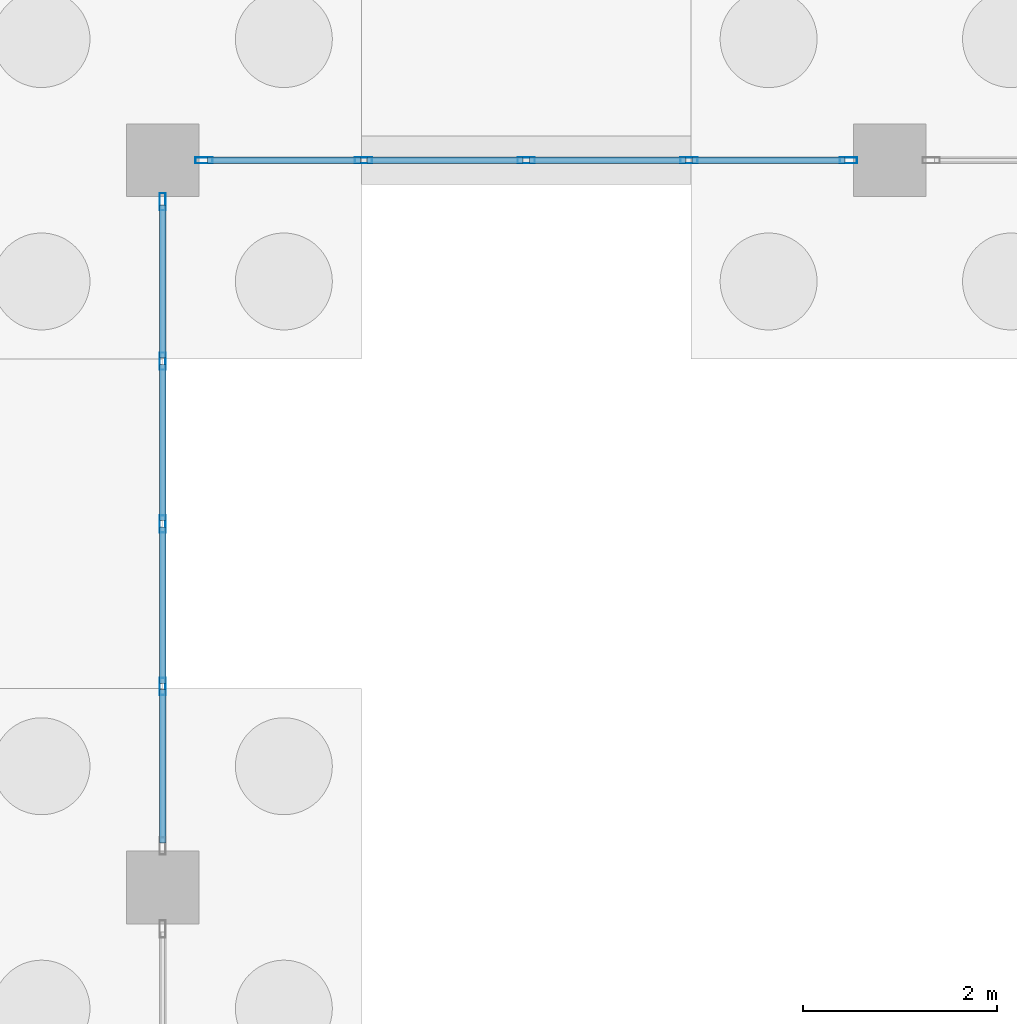
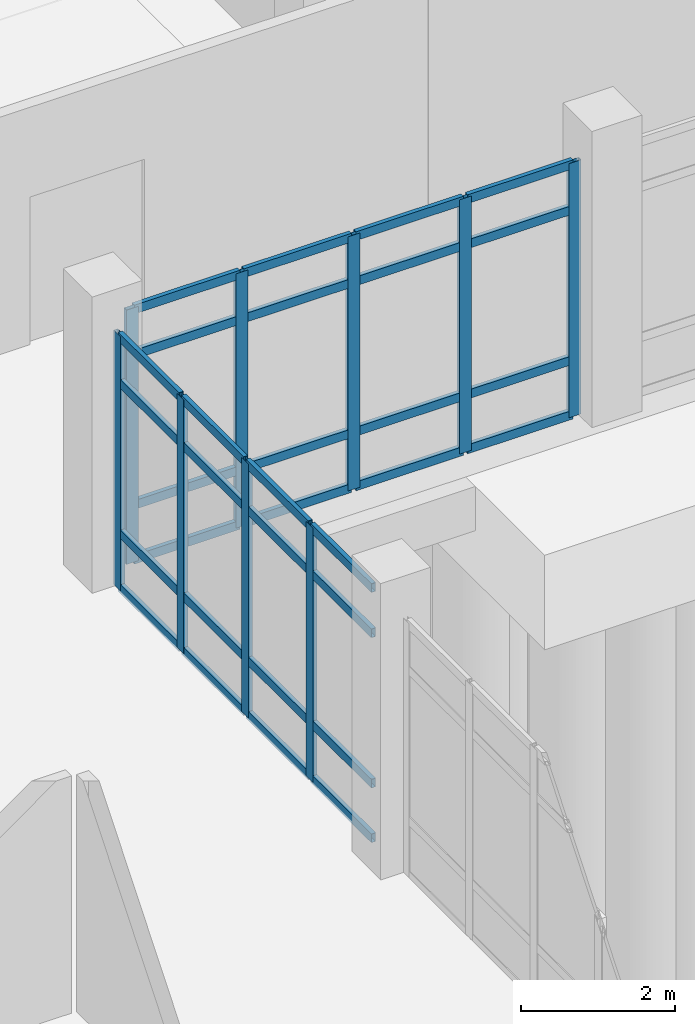
# One storey, part 31 of 173: 41 members, 2 elements without a shape of their own.
"""IFC4 building model written with IfcOpenShell, lengths in metres."""

from ifc_helpers import new_model, si_unit, direction, frame, origin, origin_2d, place, context, subcontext, project, spatial, hollow_rectangle, extrude, material, layer, layer_set, material_profile, profile_set, type_object, element, aggregate, save


model = new_model("IFC4")

# Units and contexts
model_context = context("Model", 3, precision=1e-05, world=origin(), true_north=direction((0.0, 1.0)))
body_context = subcontext(model_context, "Body", "Model", "MODEL_VIEW")
ifc_project = project(units=[si_unit("LENGTHUNIT", "METRE"), si_unit("AREAUNIT", "SQUARE_METRE"), si_unit("VOLUMEUNIT", "CUBIC_METRE"), si_unit("PLANEANGLEUNIT", "RADIAN"), si_unit("MASSUNIT", "GRAM", prefix="KILO")], contexts=[model_context])

# Site, building, storey
site_placement = place(None, origin())
site = spatial("IfcSite", under=ifc_project, at=site_placement, CompositionType="ELEMENT")
building_placement = place(site_placement, origin())
building = spatial("IfcBuilding", under=site, at=building_placement, Name="Mawjan Specialist Oncology Clinic", CompositionType="ELEMENT")
storey_placement = place(building_placement, origin())
storey = spatial("IfcBuildingStorey", under=building, at=storey_placement, Name="L00", CompositionType="ELEMENT", Elevation=0.0)

# Curtain wall, members
ifc_material_1 = material(Name="Unitised spectrally selective aluminium curtain wall", Category="aluminium")
ifc_layer = layer(ifc_material_1, 0.179931640625, Name="Unitised spectrally selective aluminium curtain wall", Category="aluminium")
ifc_layer_set = layer_set([ifc_layer], Name="Unitised spectrally selective aluminium curtain wall")
curtain_wall_type = type_object("IfcCurtainWallType", Name="CW-02", PredefinedType="NOTDEFINED", material=ifc_layer_set)
curtain_wall_1_placement = place(storey_placement, origin())
curtain_wall_1 = element("IfcCurtainWall", 1, at=curtain_wall_1_placement, inside=storey, type_object=curtain_wall_type, Name="L00 Unitised Curtain Wall CW-L00-053", PredefinedType="NOTDEFINED")
ifc_material_2 = material(Name="Thermally broken aluminium 6063-T6", Category="aluminium")
ifc_material_profile_1 = material_profile(ifc_material_2, hollow_rectangle(XDim=0.06494140625, YDim=0.179931640625, WallThickness=0.00390625, at=origin_2d()), Name="ALU MULLION 180x65x4", Category="aluminium")
ifc_profile_set_1 = profile_set([ifc_material_profile_1], Name="Thermally broken aluminium 6063-T6")
member_type_1 = type_object("IfcMemberType", Name="CW-M180", PredefinedType="MULLION", material=ifc_profile_set_1)
member_1_placement = place(storey_placement, frame((22.072509765625, 30.800048828125, 0.0), z_axis=(0.0, 0.0, 1.0), x_axis=(0.0, -1.0, 0.0)))
member_1 = element("IfcMember", 2, at=member_1_placement, type_object=member_type_1, Name="CW-02 mullion 1", PredefinedType="MULLION", context=body_context, shape_type="SweptSolid", body=[
    extrude(hollow_rectangle(XDim=0.06494140625, YDim=0.179931640625, WallThickness=0.00390625, at=origin_2d()), origin(), (0.0, 0.0, 1.0), 4.034912109375),
])
member_2_placement = place(storey_placement, frame((20.427490234375, 30.800048828125, 0.0), z_axis=(0.0, 0.0, 1.0), x_axis=(0.0, -1.0, 0.0)))
member_2 = element("IfcMember", 3, at=member_2_placement, type_object=member_type_1, Name="CW-02 mullion 2", PredefinedType="MULLION", context=body_context, shape_type="SweptSolid", body=[
    extrude(hollow_rectangle(XDim=0.06494140625, YDim=0.179931640625, WallThickness=0.00390625, at=origin_2d()), origin(), (0.0, 0.0, 1.0), 4.034912109375),
])
member_3_placement = place(storey_placement, frame((18.75, 30.800048828125, 0.0), z_axis=(0.0, 0.0, 1.0), x_axis=(0.0, -1.0, 0.0)))
member_3 = element("IfcMember", 4, at=member_3_placement, type_object=member_type_1, Name="CW-02 mullion 3", PredefinedType="MULLION", context=body_context, shape_type="SweptSolid", body=[
    extrude(hollow_rectangle(XDim=0.06494140625, YDim=0.179931640625, WallThickness=0.00390625, at=origin_2d()), origin(), (0.0, 0.0, 1.0), 4.034912109375),
])
member_4_placement = place(storey_placement, frame((17.072509765625, 30.800048828125, 0.0), z_axis=(0.0, 0.0, 1.0), x_axis=(0.0, -1.0, 0.0)))
member_4 = element("IfcMember", 5, at=member_4_placement, type_object=member_type_1, Name="CW-02 mullion 4", PredefinedType="MULLION", context=body_context, shape_type="SweptSolid", body=[
    extrude(hollow_rectangle(XDim=0.06494140625, YDim=0.179931640625, WallThickness=0.00390625, at=origin_2d()), origin(), (0.0, 0.0, 1.0), 4.034912109375),
])
member_5_placement = place(storey_placement, frame((15.427490234375, 30.800048828125, 0.0), z_axis=(0.0, 0.0, 1.0), x_axis=(0.0, -1.0, 0.0)))
member_5 = element("IfcMember", 6, at=member_5_placement, type_object=member_type_1, Name="CW-02 mullion 5", PredefinedType="MULLION", context=body_context, shape_type="SweptSolid", body=[
    extrude(hollow_rectangle(XDim=0.06494140625, YDim=0.179931640625, WallThickness=0.00390625, at=origin_2d()), origin(), (0.0, 0.0, 1.0), 4.034912109375),
])

curtain_wall_2_placement = place(storey_placement, origin())
curtain_wall_2 = element("IfcCurtainWall", 7, at=curtain_wall_2_placement, inside=storey, type_object=curtain_wall_type, Name="L00 Unitised Curtain Wall CW-L00-054", PredefinedType="NOTDEFINED")
member_6_placement = place(storey_placement, frame((15.0, 30.37255859375, 0.0), z_axis=(0.0, 0.0, 1.0), x_axis=(1.0, 0.0, 0.0)))
member_6 = element("IfcMember", 8, at=member_6_placement, type_object=member_type_1, Name="CW-02 mullion 1", PredefinedType="MULLION", context=body_context, shape_type="SweptSolid", body=[
    extrude(hollow_rectangle(XDim=0.06494140625, YDim=0.179931640625, WallThickness=0.00390625, at=origin_2d()), origin(), (0.0, 0.0, 1.0), 4.034912109375),
])
member_7_placement = place(storey_placement, frame((15.0, 28.7275390625, 0.0), z_axis=(0.0, 0.0, 1.0), x_axis=(1.0, 0.0, 0.0)))
member_7 = element("IfcMember", 9, at=member_7_placement, type_object=member_type_1, Name="CW-02 mullion 2", PredefinedType="MULLION", context=body_context, shape_type="SweptSolid", body=[
    extrude(hollow_rectangle(XDim=0.06494140625, YDim=0.179931640625, WallThickness=0.00390625, at=origin_2d()), origin(), (0.0, 0.0, 1.0), 4.034912109375),
])
member_8_placement = place(storey_placement, frame((15.0, 27.050048828125, 0.0), z_axis=(0.0, 0.0, 1.0), x_axis=(1.0, 0.0, 0.0)))
member_8 = element("IfcMember", 10, at=member_8_placement, type_object=member_type_1, Name="CW-02 mullion 3", PredefinedType="MULLION", context=body_context, shape_type="SweptSolid", body=[
    extrude(hollow_rectangle(XDim=0.06494140625, YDim=0.179931640625, WallThickness=0.00390625, at=origin_2d()), origin(), (0.0, 0.0, 1.0), 4.034912109375),
])
member_9_placement = place(storey_placement, frame((15.0, 25.37255859375, 0.0), z_axis=(0.0, 0.0, 1.0), x_axis=(1.0, 0.0, 0.0)))
member_9 = element("IfcMember", 11, at=member_9_placement, type_object=member_type_1, Name="CW-02 mullion 4", PredefinedType="MULLION", context=body_context, shape_type="SweptSolid", body=[
    extrude(hollow_rectangle(XDim=0.06494140625, YDim=0.179931640625, WallThickness=0.00390625, at=origin_2d()), origin(), (0.0, 0.0, 1.0), 4.034912109375),
])

# Member
ifc_material_3 = material(Name="Thermally broken aluminium 6063-T6", Category="aluminium")
ifc_material_profile_2 = material_profile(ifc_material_3, hollow_rectangle(XDim=0.06494140625, YDim=0.139892578125, WallThickness=0.00390625, at=origin_2d()), Name="ALU TRANSOM 140x65x4", Category="aluminium")
ifc_profile_set_2 = profile_set([ifc_material_profile_2], Name="Thermally broken aluminium 6063-T6")
member_type_2 = type_object("IfcMemberType", Name="CW-T140", PredefinedType="USERDEFINED", material=ifc_profile_set_2)
member_10_placement = place(storey_placement, frame((22.0400390625, 30.800048828125, 0.032470703125), z_axis=(-1.0, 0.0, 0.0), x_axis=(0.0, -1.0, 0.0)))
member_10 = element("IfcMember", 12, at=member_10_placement, type_object=member_type_2, Name="CW-02 transom 1.1", ObjectType="TRANSOM", PredefinedType="USERDEFINED", context=body_context, shape_type="SweptSolid", body=[
    extrude(hollow_rectangle(XDim=0.06494140625, YDim=0.139892578125, WallThickness=0.00390625, at=origin_2d()), origin(), (0.0, 0.0, 1.0), 1.580078125),
])

member_11_placement = place(storey_placement, frame((22.0400390625, 30.800048828125, 0.89990234375), z_axis=(-1.0, 0.0, 0.0), x_axis=(0.0, -1.0, 0.0)))
member_11 = element("IfcMember", 13, at=member_11_placement, type_object=member_type_2, Name="CW-02 transom 1.2", ObjectType="TRANSOM", PredefinedType="USERDEFINED", context=body_context, shape_type="SweptSolid", body=[
    extrude(hollow_rectangle(XDim=0.06494140625, YDim=0.139892578125, WallThickness=0.00390625, at=origin_2d()), origin(), (0.0, 0.0, 1.0), 1.580078125),
])

member_12_placement = place(storey_placement, frame((22.0400390625, 30.800048828125, 3.284912109375), z_axis=(-1.0, 0.0, 0.0), x_axis=(0.0, -1.0, 0.0)))
member_12 = element("IfcMember", 14, at=member_12_placement, type_object=member_type_2, Name="CW-02 transom 1.3", ObjectType="TRANSOM", PredefinedType="USERDEFINED", context=body_context, shape_type="SweptSolid", body=[
    extrude(hollow_rectangle(XDim=0.06494140625, YDim=0.139892578125, WallThickness=0.00390625, at=origin_2d()), origin(), (0.0, 0.0, 1.0), 1.580078125),
])

member_13_placement = place(storey_placement, frame((22.0400390625, 30.800048828125, 4.00244140625), z_axis=(-1.0, 0.0, 0.0), x_axis=(0.0, -1.0, 0.0)))
member_13 = element("IfcMember", 15, at=member_13_placement, type_object=member_type_2, Name="CW-02 transom 1.4", ObjectType="TRANSOM", PredefinedType="USERDEFINED", context=body_context, shape_type="SweptSolid", body=[
    extrude(hollow_rectangle(XDim=0.06494140625, YDim=0.139892578125, WallThickness=0.00390625, at=origin_2d()), origin(), (0.0, 0.0, 1.0), 1.580078125),
])

member_14_placement = place(storey_placement, frame((20.39501953125, 30.800048828125, 0.032470703125), z_axis=(-1.0, 0.0, 0.0), x_axis=(0.0, -1.0, 0.0)))
member_14 = element("IfcMember", 16, at=member_14_placement, type_object=member_type_2, Name="CW-02 transom 2.1", ObjectType="TRANSOM", PredefinedType="USERDEFINED", context=body_context, shape_type="SweptSolid", body=[
    extrude(hollow_rectangle(XDim=0.06494140625, YDim=0.139892578125, WallThickness=0.00390625, at=origin_2d()), origin(), (0.0, 0.0, 1.0), 1.612548828125),
])

member_15_placement = place(storey_placement, frame((20.39501953125, 30.800048828125, 0.89990234375), z_axis=(-1.0, 0.0, 0.0), x_axis=(0.0, -1.0, 0.0)))
member_15 = element("IfcMember", 17, at=member_15_placement, type_object=member_type_2, Name="CW-02 transom 2.2", ObjectType="TRANSOM", PredefinedType="USERDEFINED", context=body_context, shape_type="SweptSolid", body=[
    extrude(hollow_rectangle(XDim=0.06494140625, YDim=0.139892578125, WallThickness=0.00390625, at=origin_2d()), origin(), (0.0, 0.0, 1.0), 1.612548828125),
])

member_16_placement = place(storey_placement, frame((20.39501953125, 30.800048828125, 3.284912109375), z_axis=(-1.0, 0.0, 0.0), x_axis=(0.0, -1.0, 0.0)))
member_16 = element("IfcMember", 18, at=member_16_placement, type_object=member_type_2, Name="CW-02 transom 2.3", ObjectType="TRANSOM", PredefinedType="USERDEFINED", context=body_context, shape_type="SweptSolid", body=[
    extrude(hollow_rectangle(XDim=0.06494140625, YDim=0.139892578125, WallThickness=0.00390625, at=origin_2d()), origin(), (0.0, 0.0, 1.0), 1.612548828125),
])

member_17_placement = place(storey_placement, frame((20.39501953125, 30.800048828125, 4.00244140625), z_axis=(-1.0, 0.0, 0.0), x_axis=(0.0, -1.0, 0.0)))
member_17 = element("IfcMember", 19, at=member_17_placement, type_object=member_type_2, Name="CW-02 transom 2.4", ObjectType="TRANSOM", PredefinedType="USERDEFINED", context=body_context, shape_type="SweptSolid", body=[
    extrude(hollow_rectangle(XDim=0.06494140625, YDim=0.139892578125, WallThickness=0.00390625, at=origin_2d()), origin(), (0.0, 0.0, 1.0), 1.612548828125),
])

member_18_placement = place(storey_placement, frame((18.717529296875, 30.800048828125, 0.032470703125), z_axis=(-1.0, 0.0, 0.0), x_axis=(0.0, -1.0, 0.0)))
member_18 = element("IfcMember", 20, at=member_18_placement, type_object=member_type_2, Name="CW-02 transom 3.1", ObjectType="TRANSOM", PredefinedType="USERDEFINED", context=body_context, shape_type="SweptSolid", body=[
    extrude(hollow_rectangle(XDim=0.06494140625, YDim=0.139892578125, WallThickness=0.00390625, at=origin_2d()), origin(), (0.0, 0.0, 1.0), 1.612548828125),
])

member_19_placement = place(storey_placement, frame((18.717529296875, 30.800048828125, 0.89990234375), z_axis=(-1.0, 0.0, 0.0), x_axis=(0.0, -1.0, 0.0)))
member_19 = element("IfcMember", 21, at=member_19_placement, type_object=member_type_2, Name="CW-02 transom 3.2", ObjectType="TRANSOM", PredefinedType="USERDEFINED", context=body_context, shape_type="SweptSolid", body=[
    extrude(hollow_rectangle(XDim=0.06494140625, YDim=0.139892578125, WallThickness=0.00390625, at=origin_2d()), origin(), (0.0, 0.0, 1.0), 1.612548828125),
])

member_20_placement = place(storey_placement, frame((18.717529296875, 30.800048828125, 3.284912109375), z_axis=(-1.0, 0.0, 0.0), x_axis=(0.0, -1.0, 0.0)))
member_20 = element("IfcMember", 22, at=member_20_placement, type_object=member_type_2, Name="CW-02 transom 3.3", ObjectType="TRANSOM", PredefinedType="USERDEFINED", context=body_context, shape_type="SweptSolid", body=[
    extrude(hollow_rectangle(XDim=0.06494140625, YDim=0.139892578125, WallThickness=0.00390625, at=origin_2d()), origin(), (0.0, 0.0, 1.0), 1.612548828125),
])

member_21_placement = place(storey_placement, frame((18.717529296875, 30.800048828125, 4.00244140625), z_axis=(-1.0, 0.0, 0.0), x_axis=(0.0, -1.0, 0.0)))
member_21 = element("IfcMember", 23, at=member_21_placement, type_object=member_type_2, Name="CW-02 transom 3.4", ObjectType="TRANSOM", PredefinedType="USERDEFINED", context=body_context, shape_type="SweptSolid", body=[
    extrude(hollow_rectangle(XDim=0.06494140625, YDim=0.139892578125, WallThickness=0.00390625, at=origin_2d()), origin(), (0.0, 0.0, 1.0), 1.612548828125),
])

member_22_placement = place(storey_placement, frame((17.0400390625, 30.800048828125, 0.032470703125), z_axis=(-1.0, 0.0, 0.0), x_axis=(0.0, -1.0, 0.0)))
member_22 = element("IfcMember", 24, at=member_22_placement, type_object=member_type_2, Name="CW-02 transom 4.1", ObjectType="TRANSOM", PredefinedType="USERDEFINED", context=body_context, shape_type="SweptSolid", body=[
    extrude(hollow_rectangle(XDim=0.06494140625, YDim=0.139892578125, WallThickness=0.00390625, at=origin_2d()), origin(), (0.0, 0.0, 1.0), 1.580078125),
])

member_23_placement = place(storey_placement, frame((17.0400390625, 30.800048828125, 0.89990234375), z_axis=(-1.0, 0.0, 0.0), x_axis=(0.0, -1.0, 0.0)))
member_23 = element("IfcMember", 25, at=member_23_placement, type_object=member_type_2, Name="CW-02 transom 4.2", ObjectType="TRANSOM", PredefinedType="USERDEFINED", context=body_context, shape_type="SweptSolid", body=[
    extrude(hollow_rectangle(XDim=0.06494140625, YDim=0.139892578125, WallThickness=0.00390625, at=origin_2d()), origin(), (0.0, 0.0, 1.0), 1.580078125),
])

member_24_placement = place(storey_placement, frame((17.0400390625, 30.800048828125, 3.284912109375), z_axis=(-1.0, 0.0, 0.0), x_axis=(0.0, -1.0, 0.0)))
member_24 = element("IfcMember", 26, at=member_24_placement, type_object=member_type_2, Name="CW-02 transom 4.3", ObjectType="TRANSOM", PredefinedType="USERDEFINED", context=body_context, shape_type="SweptSolid", body=[
    extrude(hollow_rectangle(XDim=0.06494140625, YDim=0.139892578125, WallThickness=0.00390625, at=origin_2d()), origin(), (0.0, 0.0, 1.0), 1.580078125),
])

member_25_placement = place(storey_placement, frame((17.0400390625, 30.800048828125, 4.00244140625), z_axis=(-1.0, 0.0, 0.0), x_axis=(0.0, -1.0, 0.0)))
member_25 = element("IfcMember", 27, at=member_25_placement, type_object=member_type_2, Name="CW-02 transom 4.4", ObjectType="TRANSOM", PredefinedType="USERDEFINED", context=body_context, shape_type="SweptSolid", body=[
    extrude(hollow_rectangle(XDim=0.06494140625, YDim=0.139892578125, WallThickness=0.00390625, at=origin_2d()), origin(), (0.0, 0.0, 1.0), 1.580078125),
])

aggregate(curtain_wall_1, [member_1, member_2, member_3, member_4, member_5, member_10, member_11, member_12, member_13, member_14, member_15, member_16, member_17, member_18, member_19, member_20, member_21, member_22, member_23, member_24, member_25])

member_26_placement = place(storey_placement, frame((15.0, 30.340087890625, 0.032470703125), z_axis=(0.0, -1.0, 0.0), x_axis=(1.0, 0.0, 0.0)))
member_26 = element("IfcMember", 28, at=member_26_placement, type_object=member_type_2, Name="CW-02 transom 1.1", ObjectType="TRANSOM", PredefinedType="USERDEFINED", context=body_context, shape_type="SweptSolid", body=[
    extrude(hollow_rectangle(XDim=0.06494140625, YDim=0.139892578125, WallThickness=0.00390625, at=origin_2d()), origin(), (0.0, 0.0, 1.0), 1.580078125),
])

member_27_placement = place(storey_placement, frame((15.0, 30.340087890625, 0.89990234375), z_axis=(0.0, -1.0, 0.0), x_axis=(1.0, 0.0, 0.0)))
member_27 = element("IfcMember", 29, at=member_27_placement, type_object=member_type_2, Name="CW-02 transom 1.2", ObjectType="TRANSOM", PredefinedType="USERDEFINED", context=body_context, shape_type="SweptSolid", body=[
    extrude(hollow_rectangle(XDim=0.06494140625, YDim=0.139892578125, WallThickness=0.00390625, at=origin_2d()), origin(), (0.0, 0.0, 1.0), 1.580078125),
])

member_28_placement = place(storey_placement, frame((15.0, 30.340087890625, 3.284912109375), z_axis=(0.0, -1.0, 0.0), x_axis=(1.0, 0.0, 0.0)))
member_28 = element("IfcMember", 30, at=member_28_placement, type_object=member_type_2, Name="CW-02 transom 1.3", ObjectType="TRANSOM", PredefinedType="USERDEFINED", context=body_context, shape_type="SweptSolid", body=[
    extrude(hollow_rectangle(XDim=0.06494140625, YDim=0.139892578125, WallThickness=0.00390625, at=origin_2d()), origin(), (0.0, 0.0, 1.0), 1.580078125),
])

member_29_placement = place(storey_placement, frame((15.0, 30.340087890625, 4.00244140625), z_axis=(0.0, -1.0, 0.0), x_axis=(1.0, 0.0, 0.0)))
member_29 = element("IfcMember", 31, at=member_29_placement, type_object=member_type_2, Name="CW-02 transom 1.4", ObjectType="TRANSOM", PredefinedType="USERDEFINED", context=body_context, shape_type="SweptSolid", body=[
    extrude(hollow_rectangle(XDim=0.06494140625, YDim=0.139892578125, WallThickness=0.00390625, at=origin_2d()), origin(), (0.0, 0.0, 1.0), 1.580078125),
])

member_30_placement = place(storey_placement, frame((15.0, 28.695068359375, 0.032470703125), z_axis=(0.0, -1.0, 0.0), x_axis=(1.0, 0.0, 0.0)))
member_30 = element("IfcMember", 32, at=member_30_placement, type_object=member_type_2, Name="CW-02 transom 2.1", ObjectType="TRANSOM", PredefinedType="USERDEFINED", context=body_context, shape_type="SweptSolid", body=[
    extrude(hollow_rectangle(XDim=0.06494140625, YDim=0.139892578125, WallThickness=0.00390625, at=origin_2d()), origin(), (0.0, 0.0, 1.0), 1.612548828125),
])

member_31_placement = place(storey_placement, frame((15.0, 28.695068359375, 0.89990234375), z_axis=(0.0, -1.0, 0.0), x_axis=(1.0, 0.0, 0.0)))
member_31 = element("IfcMember", 33, at=member_31_placement, type_object=member_type_2, Name="CW-02 transom 2.2", ObjectType="TRANSOM", PredefinedType="USERDEFINED", context=body_context, shape_type="SweptSolid", body=[
    extrude(hollow_rectangle(XDim=0.06494140625, YDim=0.139892578125, WallThickness=0.00390625, at=origin_2d()), origin(), (0.0, 0.0, 1.0), 1.612548828125),
])

member_32_placement = place(storey_placement, frame((15.0, 28.695068359375, 3.284912109375), z_axis=(0.0, -1.0, 0.0), x_axis=(1.0, 0.0, 0.0)))
member_32 = element("IfcMember", 34, at=member_32_placement, type_object=member_type_2, Name="CW-02 transom 2.3", ObjectType="TRANSOM", PredefinedType="USERDEFINED", context=body_context, shape_type="SweptSolid", body=[
    extrude(hollow_rectangle(XDim=0.06494140625, YDim=0.139892578125, WallThickness=0.00390625, at=origin_2d()), origin(), (0.0, 0.0, 1.0), 1.612548828125),
])

member_33_placement = place(storey_placement, frame((15.0, 28.695068359375, 4.00244140625), z_axis=(0.0, -1.0, 0.0), x_axis=(1.0, 0.0, 0.0)))
member_33 = element("IfcMember", 35, at=member_33_placement, type_object=member_type_2, Name="CW-02 transom 2.4", ObjectType="TRANSOM", PredefinedType="USERDEFINED", context=body_context, shape_type="SweptSolid", body=[
    extrude(hollow_rectangle(XDim=0.06494140625, YDim=0.139892578125, WallThickness=0.00390625, at=origin_2d()), origin(), (0.0, 0.0, 1.0), 1.612548828125),
])

member_34_placement = place(storey_placement, frame((15.0, 27.017578125, 0.032470703125), z_axis=(0.0, -1.0, 0.0), x_axis=(1.0, 0.0, 0.0)))
member_34 = element("IfcMember", 36, at=member_34_placement, type_object=member_type_2, Name="CW-02 transom 3.1", ObjectType="TRANSOM", PredefinedType="USERDEFINED", context=body_context, shape_type="SweptSolid", body=[
    extrude(hollow_rectangle(XDim=0.06494140625, YDim=0.139892578125, WallThickness=0.00390625, at=origin_2d()), origin(), (0.0, 0.0, 1.0), 1.612548828125),
])

member_35_placement = place(storey_placement, frame((15.0, 27.017578125, 0.89990234375), z_axis=(0.0, -1.0, 0.0), x_axis=(1.0, 0.0, 0.0)))
member_35 = element("IfcMember", 37, at=member_35_placement, type_object=member_type_2, Name="CW-02 transom 3.2", ObjectType="TRANSOM", PredefinedType="USERDEFINED", context=body_context, shape_type="SweptSolid", body=[
    extrude(hollow_rectangle(XDim=0.06494140625, YDim=0.139892578125, WallThickness=0.00390625, at=origin_2d()), origin(), (0.0, 0.0, 1.0), 1.612548828125),
])

member_36_placement = place(storey_placement, frame((15.0, 27.017578125, 3.284912109375), z_axis=(0.0, -1.0, 0.0), x_axis=(1.0, 0.0, 0.0)))
member_36 = element("IfcMember", 38, at=member_36_placement, type_object=member_type_2, Name="CW-02 transom 3.3", ObjectType="TRANSOM", PredefinedType="USERDEFINED", context=body_context, shape_type="SweptSolid", body=[
    extrude(hollow_rectangle(XDim=0.06494140625, YDim=0.139892578125, WallThickness=0.00390625, at=origin_2d()), origin(), (0.0, 0.0, 1.0), 1.612548828125),
])

member_37_placement = place(storey_placement, frame((15.0, 27.017578125, 4.00244140625), z_axis=(0.0, -1.0, 0.0), x_axis=(1.0, 0.0, 0.0)))
member_37 = element("IfcMember", 39, at=member_37_placement, type_object=member_type_2, Name="CW-02 transom 3.4", ObjectType="TRANSOM", PredefinedType="USERDEFINED", context=body_context, shape_type="SweptSolid", body=[
    extrude(hollow_rectangle(XDim=0.06494140625, YDim=0.139892578125, WallThickness=0.00390625, at=origin_2d()), origin(), (0.0, 0.0, 1.0), 1.612548828125),
])

member_38_placement = place(storey_placement, frame((15.0, 25.340087890625, 0.032470703125), z_axis=(0.0, -1.0, 0.0), x_axis=(1.0, 0.0, 0.0)))
member_38 = element("IfcMember", 40, at=member_38_placement, type_object=member_type_2, Name="CW-02 transom 4.1", ObjectType="TRANSOM", PredefinedType="USERDEFINED", context=body_context, shape_type="SweptSolid", body=[
    extrude(hollow_rectangle(XDim=0.06494140625, YDim=0.139892578125, WallThickness=0.00390625, at=origin_2d()), origin(), (0.0, 0.0, 1.0), 1.580078125),
])

member_39_placement = place(storey_placement, frame((15.0, 25.340087890625, 0.89990234375), z_axis=(0.0, -1.0, 0.0), x_axis=(1.0, 0.0, 0.0)))
member_39 = element("IfcMember", 41, at=member_39_placement, type_object=member_type_2, Name="CW-02 transom 4.2", ObjectType="TRANSOM", PredefinedType="USERDEFINED", context=body_context, shape_type="SweptSolid", body=[
    extrude(hollow_rectangle(XDim=0.06494140625, YDim=0.139892578125, WallThickness=0.00390625, at=origin_2d()), origin(), (0.0, 0.0, 1.0), 1.580078125),
])

member_40_placement = place(storey_placement, frame((15.0, 25.340087890625, 3.284912109375), z_axis=(0.0, -1.0, 0.0), x_axis=(1.0, 0.0, 0.0)))
member_40 = element("IfcMember", 42, at=member_40_placement, type_object=member_type_2, Name="CW-02 transom 4.3", ObjectType="TRANSOM", PredefinedType="USERDEFINED", context=body_context, shape_type="SweptSolid", body=[
    extrude(hollow_rectangle(XDim=0.06494140625, YDim=0.139892578125, WallThickness=0.00390625, at=origin_2d()), origin(), (0.0, 0.0, 1.0), 1.580078125),
])

member_41_placement = place(storey_placement, frame((15.0, 25.340087890625, 4.00244140625), z_axis=(0.0, -1.0, 0.0), x_axis=(1.0, 0.0, 0.0)))
member_41 = element("IfcMember", 43, at=member_41_placement, type_object=member_type_2, Name="CW-02 transom 4.4", ObjectType="TRANSOM", PredefinedType="USERDEFINED", context=body_context, shape_type="SweptSolid", body=[
    extrude(hollow_rectangle(XDim=0.06494140625, YDim=0.139892578125, WallThickness=0.00390625, at=origin_2d()), origin(), (0.0, 0.0, 1.0), 1.580078125),
])

aggregate(curtain_wall_2, [member_6, member_7, member_8, member_9, member_26, member_27, member_28, member_29, member_30, member_31, member_32, member_33, member_34, member_35, member_36, member_37, member_38, member_39, member_40, member_41])

save(model, "model.ifc")
